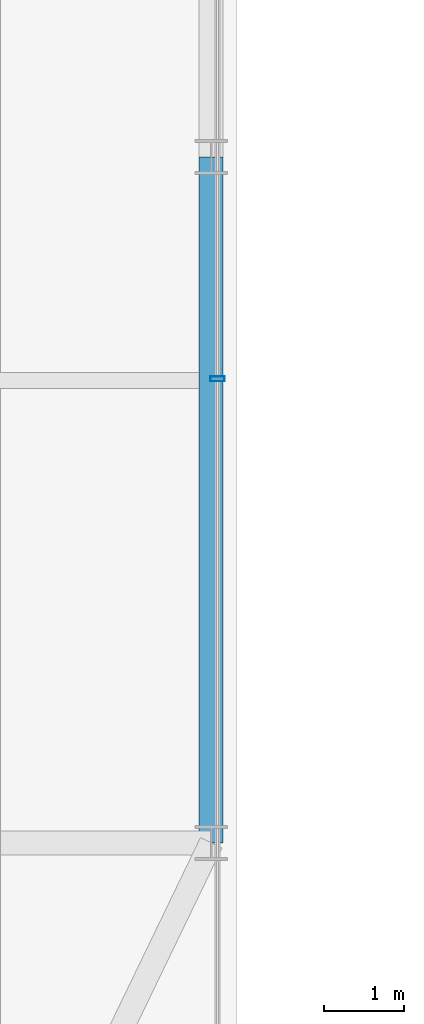
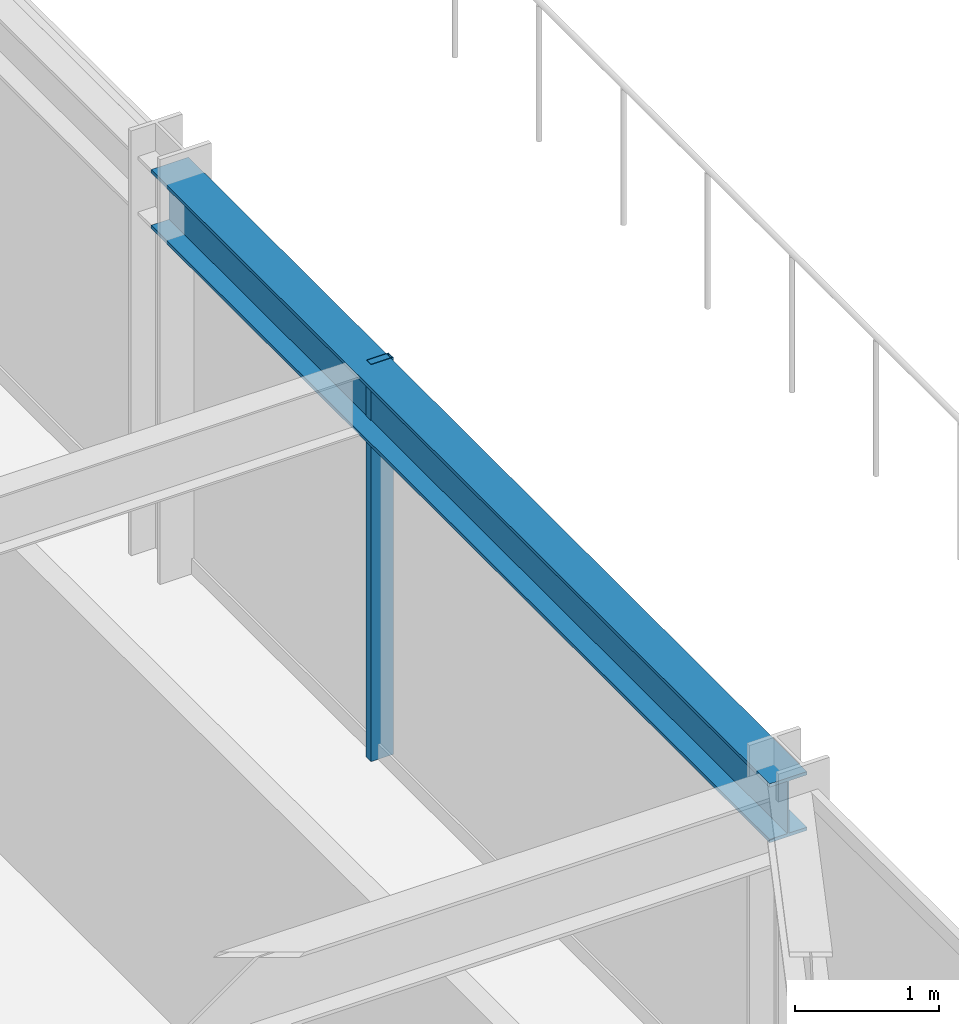
# One storey, part 15 of 39: 1 beam, 1 member, 1 element without a shape of its own.
"""IFC4 building model written with IfcOpenShell, lengths in metres."""

from ifc_helpers import new_model, si_unit, direction, frame, origin, origin_2d, place, context, subcontext, project, spatial, hollow_rectangle, i_section, extrude, source, transform, mapped, material, material_profile, profile_set, type_object, element, aggregate, save


model = new_model("IFC4")

# Units and contexts
model_context = context("Model", 3, precision=1e-05, world=origin(), true_north=direction((0.0, 1.0)))
body_context = subcontext(model_context, "Body", "Model", "MODEL_VIEW")
ifc_project = project(units=[si_unit("LENGTHUNIT", "METRE"), si_unit("AREAUNIT", "SQUARE_METRE"), si_unit("VOLUMEUNIT", "CUBIC_METRE"), si_unit("PLANEANGLEUNIT", "RADIAN"), si_unit("MASSUNIT", "GRAM", prefix="KILO")], contexts=[model_context])

# Site, building, storey
site_placement = place(None, origin())
site = spatial("IfcSite", under=ifc_project, at=site_placement, CompositionType="ELEMENT")
building_placement = place(site_placement, origin())
building = spatial("IfcBuilding", under=site, at=building_placement, Name="Nahalor Promenade Grand Hotel", CompositionType="ELEMENT")
storey_placement = place(building_placement, frame((0.0, 0.0, 32.39990234375)))
storey = spatial("IfcBuildingStorey", under=building, at=storey_placement, Name="L06", CompositionType="ELEMENT", Elevation=32.39990234375)

# Beam
ifc_material_1 = material(Name="Steel S355JR", Category="steel")
ifc_material_profile_1 = material_profile(ifc_material_1, i_section(OverallWidth=0.3, OverallDepth=0.5, WebThickness=0.0145, FlangeThickness=0.028, at=origin_2d()), Name="HEB 500")
ifc_profile_set_1 = profile_set([ifc_material_profile_1], Name="Steel S355JR")
beam_type = type_object("IfcBeamType", Name="Beam-Spandrel-HEB500", PredefinedType="SPANDREL", material=ifc_profile_set_1)
shared_shape_1 = source(origin(), body_context, "Body", "SweptSolid", [
    extrude(i_section(OverallWidth=0.3, OverallDepth=0.5, WebThickness=0.0145, FlangeThickness=0.028, at=origin_2d()), origin(), (0.0, 0.0, 1.0), 8.60009765625),
])
beam_placement = place(storey_placement, frame((25.080078125, -17.0, 3.1201171875), z_axis=(0.0, 1.0, 0.0), x_axis=(-1.0, 0.0, 0.0)))
element("IfcBeam", 1, at=beam_placement, inside=storey, type_object=beam_type, Name="BM-L06-SP-E-0", PredefinedType="SPANDREL", context=body_context, shape_type="MappedRepresentation", body=[
    mapped(shared_shape_1, transform((0.0, 0.0, 0.0), scale=1.0)),
])

# Curtain wall, member
ifc_material_2 = material(Name="Anodised Bronze Aluminium EN AW-6063 T6", Category="aluminium")
curtain_wall_type = type_object("IfcCurtainWallType", Name="CW2 Typical Hotel Flush Bronze Unitised Curtain Wall", PredefinedType="USERDEFINED", material=ifc_material_2)
curtain_wall_placement = place(storey_placement, origin())
curtain_wall = element("IfcCurtainWall", 2, at=curtain_wall_placement, inside=storey, type_object=curtain_wall_type, Name="L06 Curtain Wall CW-L06-E-1", ObjectType="UNITISED_CURTAIN_WALL", PredefinedType="USERDEFINED")
ifc_material_profile_2 = material_profile(ifc_material_2, hollow_rectangle(XDim=0.065, YDim=0.18, WallThickness=0.004, at=origin_2d()), Name="CWM 65x180x4")
ifc_profile_set_2 = profile_set([ifc_material_profile_2], Name="Anodised Bronze Aluminium EN AW-6063 T6")
member_type = type_object("IfcMemberType", Name="CWM2 Typical Bronze Mullion 65x180", PredefinedType="MULLION", material=ifc_profile_set_2)
shared_shape_2 = source(origin(), body_context, "Body", "SweptSolid", [
    extrude(hollow_rectangle(XDim=0.065, YDim=0.18, WallThickness=0.004, at=origin_2d()), origin(), (0.0, 0.0, 1.0), 3.3701171875),
])
member_placement = place(storey_placement, frame((25.159912109375, -11.179931640625, 0.0), z_axis=(0.0, 0.0, 1.0), x_axis=(0.0, 1.0, 0.0)))
member = element("IfcMember", 3, at=member_placement, type_object=member_type, Name="CW-L06-E-1 Mullion 1", PredefinedType="MULLION", context=body_context, shape_type="MappedRepresentation", body=[
    mapped(shared_shape_2, transform((0.0, 0.0, 0.0), scale=1.0)),
])
aggregate(curtain_wall, [member])

save(model, "model.ifc")
